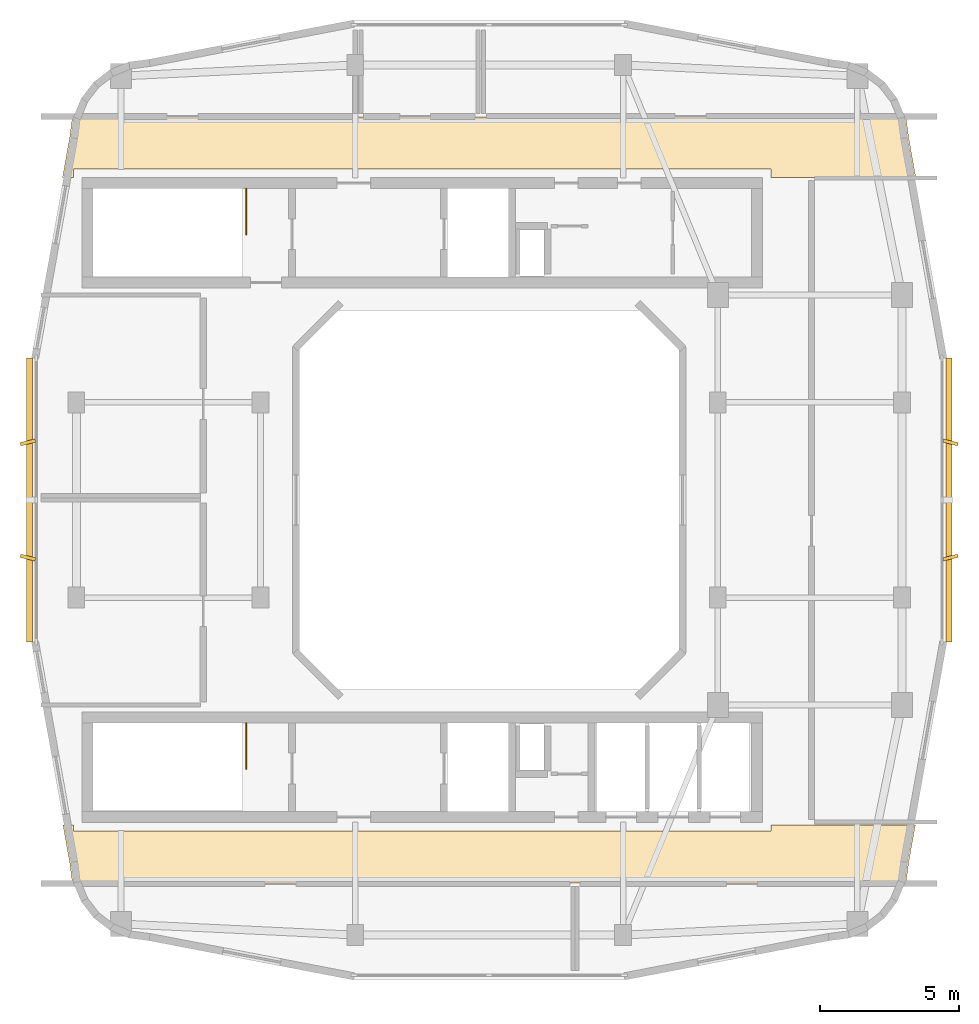
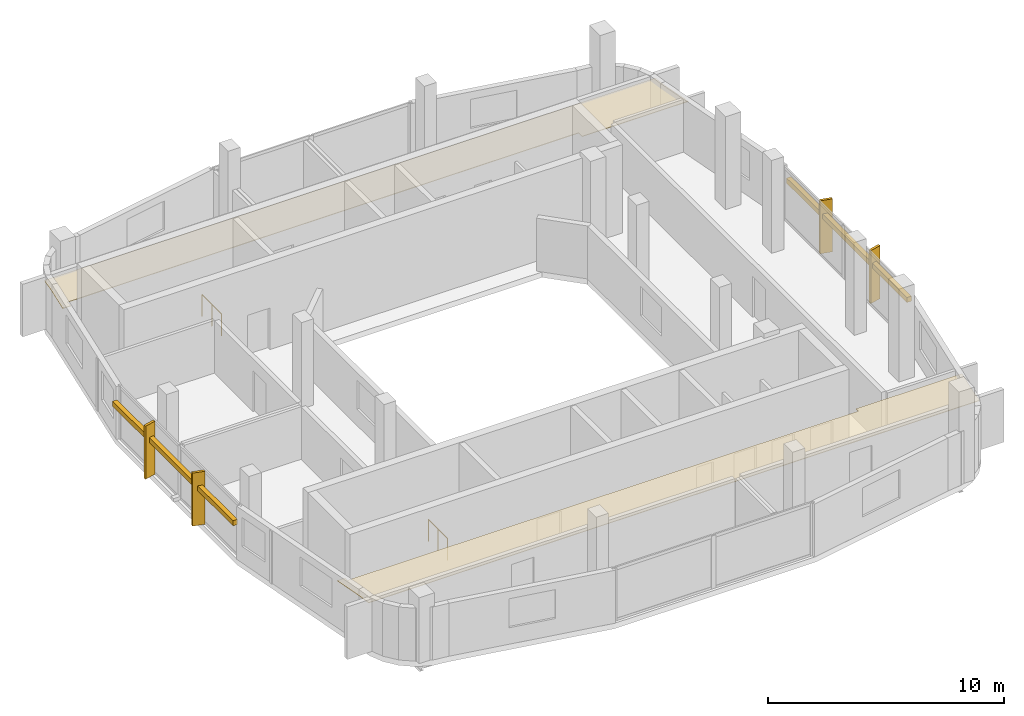
# One storey, part 6 of 6: 6 shading devices, 2 coverings, 2 railings.
"""IFC4 building model written with IfcOpenShell, lengths in metres."""

from ifc_helpers import new_model, si_unit, derived_unit, direction, frame, origin, origin_2d, place, context, subcontext, project, spatial, polyline, rectangle, circle, outline, extrude, material, layer, layer_set, type_object, element, save


model = new_model("IFC4")

# Units and contexts
model_context = context("Model", 3, precision=1e-05, world=origin(), true_north=direction((0.0, 1.0)))
body_context = subcontext(model_context, "Body", "Model", "MODEL_VIEW")
ifc_project = project(units=[si_unit("LENGTHUNIT", "METRE"), si_unit("AREAUNIT", "SQUARE_METRE"), si_unit("VOLUMEUNIT", "CUBIC_METRE"), si_unit("PLANEANGLEUNIT", "RADIAN"), si_unit("MASSUNIT", "GRAM", prefix="KILO"), derived_unit("THERMALTRANSMITTANCEUNIT", [(si_unit("POWERUNIT", "WATT"), 1), (si_unit("LENGTHUNIT", "METRE"), -2), (si_unit("THERMODYNAMICTEMPERATUREUNIT", "KELVIN"), -1)])], contexts=[model_context])

# Site, building, storey
site_placement = place(None, origin())
site = spatial("IfcSite", under=ifc_project, at=site_placement, CompositionType="ELEMENT")
building_placement = place(site_placement, origin())
building = spatial("IfcBuilding", under=site, at=building_placement, Name="Kivonza Crest Hotel", CompositionType="ELEMENT")
storey_placement = place(building_placement, frame((0.0, 0.0, 272.0)))
storey = spatial("IfcBuildingStorey", under=building, at=storey_placement, Name="L74", CompositionType="ELEMENT", Elevation=272.0)

# Coverings
ifc_material_1 = material(Name="Moisture-resistant gypsum plasterboard ceiling", Category="gypsum")
ifc_layer = layer(ifc_material_1, 0.030029296875)
ifc_layer_set = layer_set([ifc_layer], Name="Moisture-resistant gypsum plasterboard ceiling")
covering_type = type_object("IfcCoveringType", Name="CV-CEIL-GYP", PredefinedType="CEILING", material=ifc_layer_set)
covering_1_placement = place(storey_placement, frame((0.0, 0.0, 2.449951171875)))
element("IfcCovering", 1, at=covering_1_placement, inside=storey, type_object=covering_type, Name="L74 L74 Crown North Gallery Corridor suspended ceiling", PredefinedType="CEILING", context=body_context, shape_type="SweptSolid", body=[
    extrude(outline(polyline([(6.056884765625, 38.739990234375), (5.9599609375, 38.006103515625), (5.701904296875, 36.56005859375), (6.10009765625, 36.56005859375), (6.10009765625, 36.860107421875), (31.10009765625, 36.860107421875), (31.10009765625, 36.56005859375), (36.298095703125, 36.56005859375), (36.0400390625, 38.006103515625), (35.943115234375, 38.739990234375), (6.056884765625, 38.739990234375)])), origin(), (0.0, 0.0, 1.0), 0.030029296875),
])
covering_2_placement = place(storey_placement, frame((0.0, 0.0, 2.449951171875)))
element("IfcCovering", 2, at=covering_2_placement, inside=storey, type_object=covering_type, Name="L74 L74 Crown South and East Promenade suspended ceiling", PredefinedType="CEILING", context=body_context, shape_type="SweptSolid", body=[
    extrude(outline(polyline([(36.0400390625, 11.993896484375), (36.280029296875, 13.340087890625), (31.10009765625, 13.340087890625), (31.10009765625, 13.139892578125), (6.10009765625, 13.139892578125), (6.10009765625, 13.340087890625), (5.719970703125, 13.340087890625), (5.9599609375, 11.993896484375), (6.056884765625, 11.260009765625), (35.943115234375, 11.260009765625), (36.0400390625, 11.993896484375)])), origin(), (0.0, 0.0, 1.0), 0.030029296875),
])

# Railings
ifc_material_2 = material(Name="Painted steel balustrade", Category="steel")
railing_type = type_object("IfcRailingType", Name="RL-STAIR-1150", PredefinedType="BALUSTRADE", material=ifc_material_2)
for number, where, name in (
    (3, (12.2900390625, 36.159912109375, 0.0), "L74 ST-T1-N top well guard 1"),
    (4, (12.2900390625, 17.0, 0.0), "L74 ST-T1-S top well guard 1"),
):
    element("IfcRailing", number, at=place(storey_placement, frame(where)), inside=storey, type_object=railing_type, Name=name, PredefinedType="BALUSTRADE", context=body_context, shape_type="SweptSolid", body=[
        extrude(circle(Radius=0.02392578125, at=origin_2d()), frame((0.0, 0.0, 1.1259765625), z_axis=(0.0, -1.0, 0.0), x_axis=(1.0, 0.0, 0.0)), (0.0, 0.0, 1.0), 1.639892578125),
        extrude(circle(Radius=0.02099609375, at=origin_2d()), origin(), (0.0, 0.0, 1.0), 1.101806640625),
        extrude(circle(Radius=0.02099609375, at=origin_2d()), frame((0.0, -0.81982421875, 0.0)), (0.0, 0.0, 1.0), 1.101806640625),
        extrude(circle(Radius=0.02099609375, at=origin_2d()), frame((0.0, -1.639892578125, 0.0)), (0.0, 0.0, 1.0), 1.101806640625),
    ])

# Shading devices
ifc_material_3 = material(Name="Kiln-fired Nairobi red-ochre terracotta", Category="masonry")
shading_device_type_1 = type_object("IfcShadingDeviceType", Name="SH-BAGUETTE-300", PredefinedType="USERDEFINED", material=ifc_material_3)
for number, where, z_axis, x_axis, name in (
    (5, (37.47998046875, 25.0, 1.7880859375), (0.0, 0.0, 1.0), (0.0, 1.0, 0.0), "L74 terracotta baguette screen CW-T1-L74-17"),
    (6, (4.52001953125, 25.0, 1.7880859375), (0.0, 0.0, 1.0), (0.0, -1.0, 0.0), "L74 terracotta baguette screen CW-T1-L74-35"),
):
    element("IfcShadingDevice", number, at=place(storey_placement, frame(where, z_axis=z_axis, x_axis=x_axis)), inside=storey, type_object=shading_device_type_1, Name=name, ObjectType="BAGUETTE", PredefinedType="USERDEFINED", context=body_context, shape_type="SweptSolid", body=[
        extrude(rectangle(XDim=10.199951171875, YDim=0.219970703125, at=origin_2d()), origin(), (0.0, 0.0, 1.0), 0.260009765625),
    ])
ifc_material_4 = material(Name="Kiln-fired terracotta over extruded aluminium spine", Category="masonry")
shading_device_type_2 = type_object("IfcShadingDeviceType", Name="SH-FIN-550", PredefinedType="USERDEFINED", material=ifc_material_4)
for number, where, z_axis, x_axis, name in (
    (7, (37.5400390625, 22.93603515625, 0.0), (0.0, 0.0, 1.0), (-0.2419218956, 0.970295726276, 0.0), "L74 vertical solar shading fin CW-T1-L74-17-1"),
    (8, (37.5400390625, 27.06396484375, 0.0), (0.0, 0.0, 1.0), (0.2419218956, 0.970295726276, 0.0), "L74 vertical solar shading fin CW-T1-L74-17-2"),
    (9, (4.4599609375, 27.06396484375, 0.0), (0.0, 0.0, 1.0), (0.2419218956, -0.970295726276, 0.0), "L74 vertical solar shading fin CW-T1-L74-35-1"),
    (10, (4.4599609375, 22.93603515625, 0.0), (0.0, 0.0, 1.0), (-0.2419218956, -0.970295726276, 0.0), "L74 vertical solar shading fin CW-T1-L74-35-2"),
):
    element("IfcShadingDevice", number, at=place(storey_placement, frame(where, z_axis=z_axis, x_axis=x_axis)), inside=storey, type_object=shading_device_type_2, Name=name, ObjectType="FIN", PredefinedType="USERDEFINED", context=body_context, shape_type="SweptSolid", body=[
        extrude(rectangle(XDim=0.1201171875, YDim=0.550048828125, at=origin_2d()), origin(), (0.0, 0.0, 1.0), 2.739990234375),
    ])

save(model, "model.ifc")
